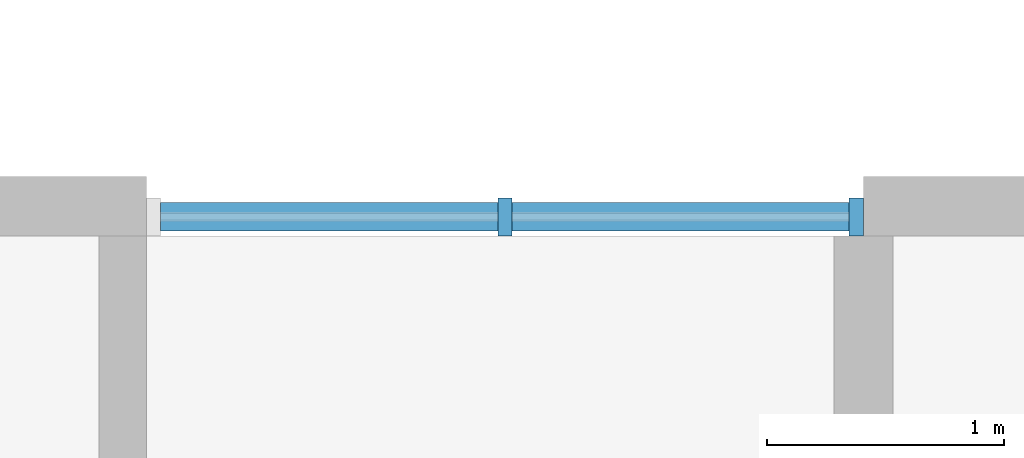
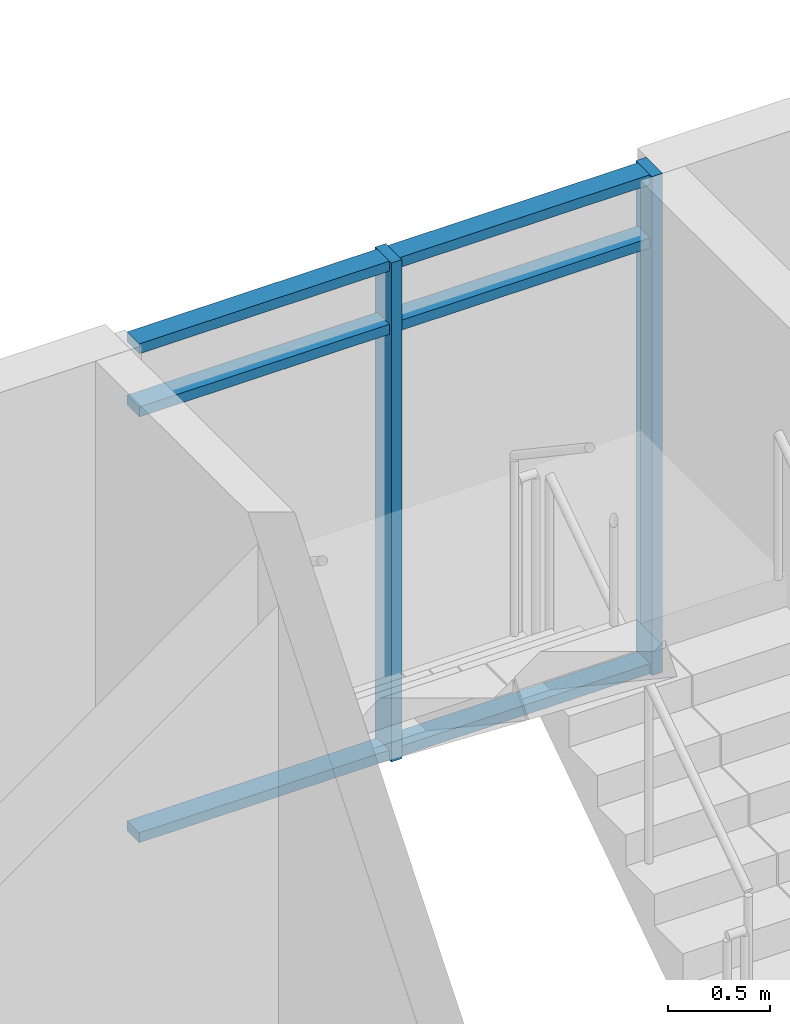
# One storey, part 24 of 94: 8 members, 1 element without a shape of its own.
"""IFC4 building model written with IfcOpenShell, lengths in metres."""

from ifc_helpers import new_model, si_unit, direction, frame, origin, origin_2d, place, context, subcontext, project, spatial, rectangle, extrude, material, material_profile, profile_set, type_object, element, aggregate, save


model = new_model("IFC4")

# Units and contexts
model_context = context("Model", 3, precision=1e-05, world=origin(), true_north=direction((0.0, 1.0)))
body_context = subcontext(model_context, "Body", "Model", "MODEL_VIEW")
ifc_project = project(units=[si_unit("LENGTHUNIT", "METRE"), si_unit("AREAUNIT", "SQUARE_METRE"), si_unit("VOLUMEUNIT", "CUBIC_METRE"), si_unit("PLANEANGLEUNIT", "RADIAN"), si_unit("MASSUNIT", "GRAM", prefix="KILO")], contexts=[model_context])

# Site, building, storey
site_placement = place(None, origin())
site = spatial("IfcSite", under=ifc_project, at=site_placement, CompositionType="ELEMENT")
building_placement = place(site_placement, origin())
building = spatial("IfcBuilding", under=site, at=building_placement, Name="Ridgestep Commons", CompositionType="ELEMENT")
storey_placement = place(building_placement, frame((0.0, 0.0, 24.0)))
storey = spatial("IfcBuildingStorey", under=building, at=storey_placement, Name="L08", CompositionType="ELEMENT", Elevation=24.0)

# Curtain wall, members
ifc_material_1 = material(Name="Aluminium 6063-T6 and glass", Category="aluminium")
curtain_wall_type = type_object("IfcCurtainWallType", Name="Curtain wall stair strip", PredefinedType="NOTDEFINED", material=ifc_material_1)
curtain_wall_placement = place(storey_placement, origin())
curtain_wall = element("IfcCurtainWall", 1, at=curtain_wall_placement, inside=storey, type_object=curtain_wall_type, Name="Curtain wall C6C level 08", PredefinedType="NOTDEFINED")
ifc_material_2 = material(Name="Aluminium 6063-T6", Category="aluminium")
ifc_material_profile_1 = material_profile(ifc_material_2, rectangle(XDim=0.159912109375, YDim=0.06005859375, at=origin_2d()), Name="Mullion 60 x 160")
ifc_profile_set_1 = profile_set([ifc_material_profile_1], Name="Aluminium 6063-T6")
member_type_1 = type_object("IfcMemberType", Name="Mullion 60 x 160", PredefinedType="MULLION", material=ifc_profile_set_1)
member_1_placement = place(storey_placement, frame((235.28759765625, 77.080078125, 0.0), z_axis=(0.0, 0.0, 1.0), x_axis=(0.0, 1.0, 0.0)))
member_1 = element("IfcMember", 2, at=member_1_placement, type_object=member_type_1, Name="CW1 mullion 2", PredefinedType="MULLION", context=body_context, shape_type="SweptSolid", body=[
    extrude(rectangle(XDim=0.159912109375, YDim=0.06005859375, at=origin_2d()), origin(), (0.0, 0.0, 1.0), 3.0),
])
member_2_placement = place(storey_placement, frame((236.77001953125, 77.080078125, 0.0), z_axis=(0.0, 0.0, 1.0), x_axis=(0.0, 1.0, 0.0)))
member_2 = element("IfcMember", 3, at=member_2_placement, type_object=member_type_1, Name="CW1 mullion 3", PredefinedType="MULLION", context=body_context, shape_type="SweptSolid", body=[
    extrude(rectangle(XDim=0.159912109375, YDim=0.06005859375, at=origin_2d()), origin(), (0.0, 0.0, 1.0), 3.0),
])
ifc_material_3 = material(Name="Aluminium 6063-T6", Category="aluminium")
ifc_material_profile_2 = material_profile(ifc_material_3, rectangle(XDim=0.1201171875, YDim=0.06005859375, at=origin_2d()), Name="Transom 60 x 120")
ifc_profile_set_2 = profile_set([ifc_material_profile_2], Name="Aluminium 6063-T6")
member_type_2 = type_object("IfcMemberType", Name="Transom 60 x 120", PredefinedType="USERDEFINED", material=ifc_profile_set_2)
member_3_placement = place(storey_placement, frame((233.8349609375, 77.080078125, 0.030029296875), z_axis=(1.0, 0.0, 0.0), x_axis=(0.0, 1.0, 0.0)))
member_3 = element("IfcMember", 4, at=member_3_placement, type_object=member_type_2, Name="CW1 transom 1.1", ObjectType="TRANSOM", PredefinedType="USERDEFINED", context=body_context, shape_type="SweptSolid", body=[
    extrude(rectangle(XDim=0.1201171875, YDim=0.06005859375, at=origin_2d()), origin(), (0.0, 0.0, 1.0), 1.422607421875),
])
member_4_placement = place(storey_placement, frame((233.8349609375, 77.080078125, 2.590087890625), z_axis=(1.0, 0.0, 0.0), x_axis=(0.0, 1.0, 0.0)))
member_4 = element("IfcMember", 5, at=member_4_placement, type_object=member_type_2, Name="CW1 transom 1.2", ObjectType="TRANSOM", PredefinedType="USERDEFINED", context=body_context, shape_type="SweptSolid", body=[
    extrude(rectangle(XDim=0.1201171875, YDim=0.06005859375, at=origin_2d()), origin(), (0.0, 0.0, 1.0), 1.422607421875),
])
member_5_placement = place(storey_placement, frame((233.8349609375, 77.080078125, 2.969970703125), z_axis=(1.0, 0.0, 0.0), x_axis=(0.0, 1.0, 0.0)))
member_5 = element("IfcMember", 6, at=member_5_placement, type_object=member_type_2, Name="CW1 transom 1.3", ObjectType="TRANSOM", PredefinedType="USERDEFINED", context=body_context, shape_type="SweptSolid", body=[
    extrude(rectangle(XDim=0.1201171875, YDim=0.06005859375, at=origin_2d()), origin(), (0.0, 0.0, 1.0), 1.422607421875),
])
member_6_placement = place(storey_placement, frame((235.3173828125, 77.080078125, 0.030029296875), z_axis=(1.0, 0.0, 0.0), x_axis=(0.0, 1.0, 0.0)))
member_6 = element("IfcMember", 7, at=member_6_placement, type_object=member_type_2, Name="CW1 transom 2.1", ObjectType="TRANSOM", PredefinedType="USERDEFINED", context=body_context, shape_type="SweptSolid", body=[
    extrude(rectangle(XDim=0.1201171875, YDim=0.06005859375, at=origin_2d()), origin(), (0.0, 0.0, 1.0), 1.422607421875),
])
member_7_placement = place(storey_placement, frame((235.3173828125, 77.080078125, 2.590087890625), z_axis=(1.0, 0.0, 0.0), x_axis=(0.0, 1.0, 0.0)))
member_7 = element("IfcMember", 8, at=member_7_placement, type_object=member_type_2, Name="CW1 transom 2.2", ObjectType="TRANSOM", PredefinedType="USERDEFINED", context=body_context, shape_type="SweptSolid", body=[
    extrude(rectangle(XDim=0.1201171875, YDim=0.06005859375, at=origin_2d()), origin(), (0.0, 0.0, 1.0), 1.422607421875),
])
member_8_placement = place(storey_placement, frame((235.3173828125, 77.080078125, 2.969970703125), z_axis=(1.0, 0.0, 0.0), x_axis=(0.0, 1.0, 0.0)))
member_8 = element("IfcMember", 9, at=member_8_placement, type_object=member_type_2, Name="CW1 transom 2.3", ObjectType="TRANSOM", PredefinedType="USERDEFINED", context=body_context, shape_type="SweptSolid", body=[
    extrude(rectangle(XDim=0.1201171875, YDim=0.06005859375, at=origin_2d()), origin(), (0.0, 0.0, 1.0), 1.422607421875),
])
aggregate(curtain_wall, [member_1, member_2, member_3, member_4, member_5, member_6, member_7, member_8])

save(model, "model.ifc")
